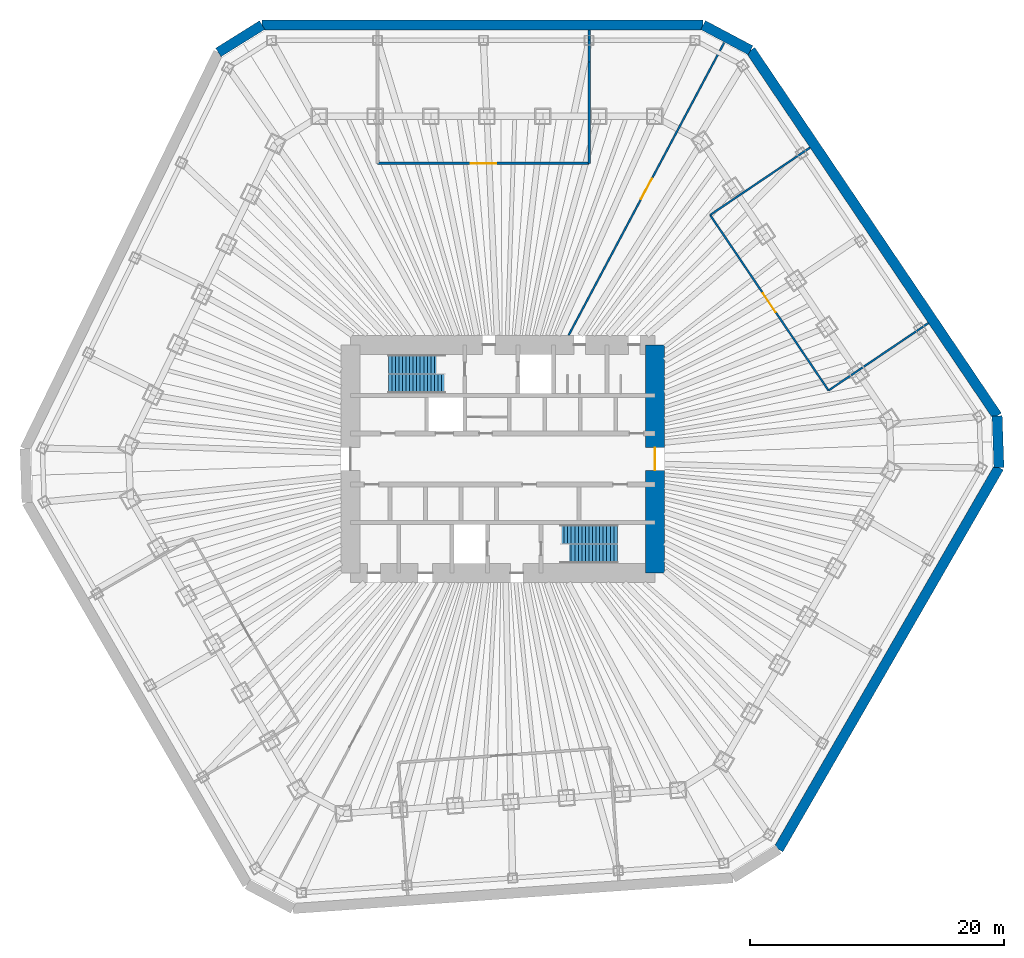
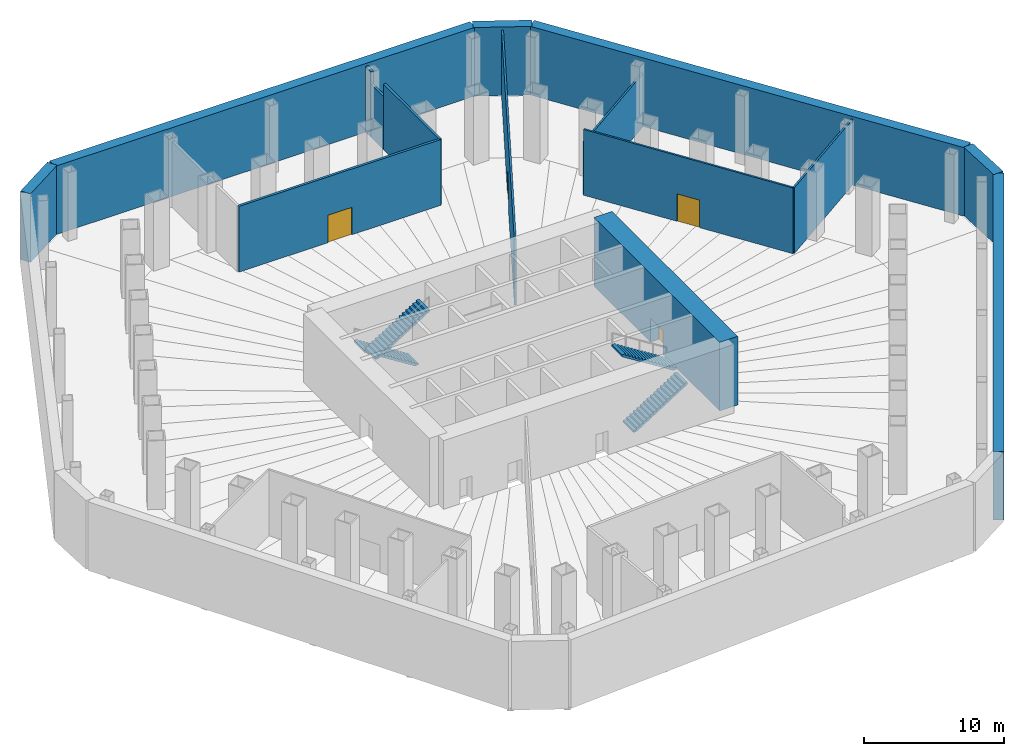
# One storey, part 7 of 8: 15 walls, 4 doors, 4 stair flights, 4 openings, 2 elements without a shape of their own.
"""IFC4 building model written with IfcOpenShell, lengths in metres."""

from ifc_helpers import new_model, si_unit, direction, frame, frame_2d, origin, place, context, subcontext, project, spatial, polyline, rectangle, outline, extrude, material, layer, layer_set, type_object, element, fill, aggregate, save


model = new_model("IFC4")

# Units and contexts
model_context = context("Model", 3, precision=1e-05, world=origin(), true_north=direction((0.0, 1.0)))
body_context = subcontext(model_context, "Body", "Model", "MODEL_VIEW")
ifc_project = project(units=[si_unit("LENGTHUNIT", "METRE"), si_unit("AREAUNIT", "SQUARE_METRE"), si_unit("VOLUMEUNIT", "CUBIC_METRE"), si_unit("PLANEANGLEUNIT", "RADIAN"), si_unit("MASSUNIT", "GRAM", prefix="KILO")], contexts=[model_context])

# Site, building, storey
site_placement = place(None, origin())
site = spatial("IfcSite", under=ifc_project, at=site_placement, CompositionType="ELEMENT")
building_placement = place(site_placement, origin())
building = spatial("IfcBuilding", under=site, at=building_placement, Name="Qingtian Harvest Tower", CompositionType="ELEMENT")
storey_placement = place(building_placement, frame((0.0, 0.0, -6.0)))
storey = spatial("IfcBuildingStorey", under=building, at=storey_placement, Name="B1", CompositionType="ELEMENT", Elevation=-6.0)

# Walls
ifc_material_1 = material(Name="Concrete fc' 42 MPa", Category="concrete")
ifc_layer_1 = layer(ifc_material_1, 0.800048828125)
ifc_layer_set_1 = layer_set([ifc_layer_1], Name="Basement retaining wall RW1 800")
wall_type_1 = type_object("IfcWallType", Name="Basement retaining wall RW1 800", PredefinedType="SHEAR", material=ifc_layer_set_1)
wall_1_placement = place(storey_placement, frame((-18.970458984375, 34.199951171875, 0.0), z_axis=(0.0, 0.0, 1.0), x_axis=(1.0, 0.0, 0.0)))
element("IfcWall", 1, at=wall_1_placement, inside=storey, type_object=wall_type_1, Name="Retaining wall RW1 B1 1", PredefinedType="SHEAR", context=body_context, shape_type="SweptSolid", body=[
    extrude(rectangle(XDim=34.7548828125, YDim=0.800048828125, at=frame_2d((17.37744140625, 0.0))), origin(), (0.0, 0.0, 1.0), 6.0),
])
wall_2_placement = place(storey_placement, frame((15.784423828125, 34.199951171875, 0.0), z_axis=(0.0, 0.0, 1.0), x_axis=(0.882948599748, -0.469469669099, 0.0)))
element("IfcWall", 2, at=wall_2_placement, inside=storey, type_object=wall_type_1, Name="Retaining wall RW1 B1 2", PredefinedType="SHEAR", context=body_context, shape_type="SweptSolid", body=[
    extrude(rectangle(XDim=4.23828125, YDim=0.800048828125, at=frame_2d((2.119140625, 0.0))), origin(), (0.0, 0.0, 1.0), 6.0),
])
wall_3_placement = place(storey_placement, frame((19.526611328125, 32.210205078125, 0.0), z_axis=(0.0, 0.0, 1.0), x_axis=(0.559192197891, -0.829038048474, 0.0)))
element("IfcWall", 3, at=wall_3_placement, inside=storey, type_object=wall_type_1, Name="Retaining wall RW1 B1 3", PredefinedType="SHEAR", context=body_context, shape_type="SweptSolid", body=[
    extrude(rectangle(XDim=34.754638671875, YDim=0.800048828125, at=frame_2d((17.37744140625, 0.0))), origin(), (0.0, 0.0, 1.0), 6.0),
])
wall_4_placement = place(storey_placement, frame((38.961181640625, 3.397216796875, 0.0), z_axis=(0.0, 0.0, 1.0), x_axis=(0.034904306503, -0.999390659046, 0.0)))
element("IfcWall", 4, at=wall_4_placement, inside=storey, type_object=wall_type_1, Name="Retaining wall RW1 B1 4", PredefinedType="SHEAR", context=body_context, shape_type="SweptSolid", body=[
    extrude(rectangle(XDim=4.07080078125, YDim=0.800048828125, at=frame_2d((2.035400390625, 0.0))), origin(), (0.0, 0.0, 1.0), 6.0),
])
wall_5_placement = place(storey_placement, frame((39.103271484375, -0.671142578125, 0.0), z_axis=(0.0, 0.0, 1.0), x_axis=(-0.499999733485, -0.866025557657, 0.0)))
element("IfcWall", 5, at=wall_5_placement, inside=storey, type_object=wall_type_1, Name="Retaining wall RW1 B1 5", PredefinedType="SHEAR", context=body_context, shape_type="SweptSolid", body=[
    extrude(rectangle(XDim=34.7548828125, YDim=0.800048828125, at=frame_2d((17.37744140625, 0.0))), origin(), (0.0, 0.0, 1.0), 6.0),
])
wall_6_placement = place(storey_placement, frame((-22.422607421875, 32.04296875, 0.0), z_axis=(0.0, 0.0, 1.0), x_axis=(0.848065686315, 0.529891113055, 0.0)))
element("IfcWall", 6, at=wall_6_placement, inside=storey, type_object=wall_type_1, Name="Retaining wall RW1 B1 12", PredefinedType="SHEAR", context=body_context, shape_type="SweptSolid", body=[
    extrude(rectangle(XDim=4.070556640625, YDim=0.800048828125, at=frame_2d((2.03515625, 0.0))), origin(), (0.0, 0.0, 1.0), 6.0),
])

# Wall, opening, door
ifc_material_2 = material(Name="Concrete fc' 70 MPa", Category="concrete")
ifc_layer_2 = layer(ifc_material_2, 1.5)
ifc_layer_set_2 = layer_set([ifc_layer_2], Name="Core wall RC1 1500")
wall_type_2 = type_object("IfcWallType", Name="Core wall RC1 1500", PredefinedType="SHEAR", material=ifc_layer_set_2)
wall_7_placement = place(storey_placement, frame((12.0, -9.0, 0.0), z_axis=(0.0, 0.0, 1.0), x_axis=(0.0, 1.0, 0.0)))
wall_7 = element("IfcWall", 7, at=wall_7_placement, inside=storey, type_object=wall_type_2, Name="Core wall CE B1", PredefinedType="SHEAR", context=body_context, shape_type="SweptSolid", body=[
    extrude(rectangle(XDim=18.0, YDim=1.5, at=frame_2d((9.0, 0.0))), origin(), (0.0, 0.0, 1.0), 6.0),
])
opening_1_placement = place(wall_7_placement, frame((8.10009765625, 0.0, 0.0)))
opening_1 = element("IfcOpeningElement", 8, at=opening_1_placement, cuts=wall_7, Name="Opening FD2", PredefinedType="OPENING", context=body_context, shape_type="SweptSolid", body=[
    extrude(rectangle(XDim=1.800048828125, YDim=2.10009765625, at=frame_2d((0.89990234375, 1.050048828125))), frame((0.0, 0.760009765625, 0.0), z_axis=(0.0, -1.0, 0.0), x_axis=(1.0, 0.0, 0.0)), (0.0, 0.0, 1.0), 1.52001953125),
])
ifc_material_3 = material(Name="Steel-faced door leaf", Category="steel")
door_type_1 = type_object("IfcDoorType", Name="Fire door FD2 double 1 HR", OperationType="DOUBLE_DOOR_DOUBLE_SWING", PredefinedType="DOOR", material=ifc_material_3)
door_1_placement = place(opening_1_placement, origin())
door_1 = element("IfcDoor", 9, at=door_1_placement, inside=storey, type_object=door_type_1, Name="LOBBY-E door B1", OperationType="DOUBLE_DOOR_DOUBLE_SWING", OverallHeight=2.10009765625, OverallWidth=1.800048828125, PredefinedType="DOOR", context=body_context, shape_type="SweptSolid", body=[
    extrude(rectangle(XDim=1.800048828125, YDim=2.10009765625, at=frame_2d((0.89990234375, 1.050048828125))), frame((0.0, 0.02490234375, 0.0), z_axis=(0.0, -1.0, 0.0), x_axis=(1.0, 0.0, 0.0)), (0.0, 0.0, 1.0), 0.050048828125),
])
fill(opening_1, door_1)

# Wall
ifc_material_4 = material(Name="Blockwork fire wall", Category="masonry")
ifc_layer_3 = layer(ifc_material_4, 0.199951171875)
ifc_layer_set_3 = layer_set([ifc_layer_3], Name="Fire partition FW1 200")
wall_type_3 = type_object("IfcWallType", Name="Fire partition FW1 200", PredefinedType="PARTITIONING", material=ifc_layer_set_3)
wall_8_placement = place(storey_placement, frame((6.8046875, 33.800048828125, 0.0), z_axis=(0.0, 0.0, 1.0), x_axis=(0.0, -1.0, 0.0)))
element("IfcWall", 10, at=wall_8_placement, inside=storey, type_object=wall_type_3, Name="Cold store wall B1", PredefinedType="PARTITIONING", context=body_context, shape_type="SweptSolid", body=[
    extrude(rectangle(XDim=0.779541015625, YDim=0.199951171875, at=frame_2d((0.3896484375, 0.0))), origin(), (0.0, 0.0, 1.0), 5.75),
])

# Wall, opening, door
wall_9_placement = place(storey_placement, frame((-9.87890625, 23.300048828125, 0.0), z_axis=(0.0, 0.0, 1.0), x_axis=(1.0, 0.0, 0.0)))
wall_9 = element("IfcWall", 11, at=wall_9_placement, inside=storey, type_object=wall_type_3, Name="Cold store wall B1", PredefinedType="PARTITIONING", context=body_context, shape_type="SweptSolid", body=[
    extrude(rectangle(XDim=16.68359375, YDim=0.199951171875, at=frame_2d((8.341796875, 0.0))), origin(), (0.0, 0.0, 1.0), 5.75),
])
opening_2_placement = place(wall_9_placement, frame((7.341796875, 0.0, 0.0)))
opening_2 = element("IfcOpeningElement", 12, at=opening_2_placement, cuts=wall_9, Name="Opening FD3", PredefinedType="OPENING", context=body_context, shape_type="SweptSolid", body=[
    extrude(rectangle(XDim=2.0, YDim=2.39990234375, at=frame_2d((1.0, 1.199951171875))), frame((0.0, 0.10986328125, 0.0), z_axis=(0.0, -1.0, 0.0), x_axis=(1.0, 0.0, 0.0)), (0.0, 0.0, 1.0), 0.219970703125),
])
ifc_material_5 = material(Name="Steel-faced door leaf", Category="steel")
door_type_2 = type_object("IfcDoorType", Name="Fire door FD3 double 2 HR", OperationType="DOUBLE_DOOR_DOUBLE_SWING", PredefinedType="DOOR", material=ifc_material_5)
door_2_placement = place(opening_2_placement, origin())
door_2 = element("IfcDoor", 13, at=door_2_placement, inside=storey, type_object=door_type_2, Name="Cold store door B1", OperationType="DOUBLE_DOOR_DOUBLE_SWING", OverallHeight=2.39990234375, OverallWidth=2.0, PredefinedType="DOOR", context=body_context, shape_type="SweptSolid", body=[
    extrude(rectangle(XDim=2.0, YDim=2.39990234375, at=frame_2d((1.0, 1.199951171875))), frame((0.0, 0.02490234375, 0.0), z_axis=(0.0, -1.0, 0.0), x_axis=(1.0, 0.0, 0.0)), (0.0, 0.0, 1.0), 0.050048828125),
])
fill(opening_2, door_2)

# Walls
wall_10_placement = place(storey_placement, frame((6.8046875, 33.0205078125, 0.0), z_axis=(0.0, 0.0, 1.0), x_axis=(0.0, -1.0, 0.0)))
element("IfcWall", 14, at=wall_10_placement, inside=storey, type_object=wall_type_3, Name="Cold store wall B1", PredefinedType="PARTITIONING", context=body_context, shape_type="SweptSolid", body=[
    extrude(rectangle(XDim=1.743408203125, YDim=0.199951171875, at=frame_2d((0.87158203125, 0.0))), origin(), (0.0, 0.0, 1.0), 4.64990234375),
])
wall_11_placement = place(storey_placement, frame((6.8046875, 31.277099609375, 0.0), z_axis=(0.0, 0.0, 1.0), x_axis=(0.0, -1.0, 0.0)))
element("IfcWall", 15, at=wall_11_placement, inside=storey, type_object=wall_type_3, Name="Cold store wall B1", PredefinedType="PARTITIONING", context=body_context, shape_type="SweptSolid", body=[
    extrude(rectangle(XDim=7.97705078125, YDim=0.199951171875, at=frame_2d((3.988525390625, 0.0))), origin(), (0.0, 0.0, 1.0), 5.75),
])
ifc_material_6 = material(Name="Gypsum board on steel studs", Category="steel")
ifc_layer_4 = layer(ifc_material_6, 0.14990234375)
ifc_layer_set_4 = layer_set([ifc_layer_4], Name="Partition PT1 150")
wall_type_4 = type_object("IfcWallType", Name="Partition PT1 150", PredefinedType="PARTITIONING", material=ifc_layer_set_4)
wall_12_placement = place(storey_placement, frame((24.21630859375, 24.5419921875, 0.0), z_axis=(0.0, 0.0, 1.0), x_axis=(-0.829037218051, -0.559193429045, 0.0)))
element("IfcWall", 16, at=wall_12_placement, inside=storey, type_object=wall_type_4, Name="Bicycle store wall B1", PredefinedType="PARTITIONING", context=body_context, shape_type="SweptSolid", body=[
    extrude(rectangle(XDim=9.499755859375, YDim=0.14990234375, at=frame_2d((4.75, 0.0))), origin(), (0.0, 0.0, 1.0), 4.64990234375),
])
wall_13_placement = place(storey_placement, frame((33.545654296875, 10.710693359375, 0.0), z_axis=(0.0, 0.0, 1.0), x_axis=(-0.829037218051, -0.559193429045, 0.0)))
element("IfcWall", 17, at=wall_13_placement, inside=storey, type_object=wall_type_4, Name="Bicycle store wall B1", PredefinedType="PARTITIONING", context=body_context, shape_type="SweptSolid", body=[
    extrude(rectangle(XDim=9.499755859375, YDim=0.14990234375, at=frame_2d((4.75, 0.0))), origin(), (0.0, 0.0, 1.0), 5.75),
])

# Wall, opening, door
wall_14_placement = place(storey_placement, frame((16.340576171875, 19.229736328125, 0.0), z_axis=(0.0, 0.0, 1.0), x_axis=(0.559193597406, -0.829037104489, 0.0)))
wall_14 = element("IfcWall", 18, at=wall_14_placement, inside=storey, type_object=wall_type_4, Name="Bicycle store wall B1", PredefinedType="PARTITIONING", context=body_context, shape_type="SweptSolid", body=[
    extrude(rectangle(XDim=16.68359375, YDim=0.14990234375, at=frame_2d((8.341796875, 0.0))), origin(), (0.0, 0.0, 1.0), 5.75),
])
opening_3_placement = place(wall_14_placement, frame((7.44189453125, 0.0, 0.0)))
opening_3 = element("IfcOpeningElement", 19, at=opening_3_placement, cuts=wall_14, Name="Opening D3", PredefinedType="OPENING", context=body_context, shape_type="SweptSolid", body=[
    extrude(rectangle(XDim=1.800048828125, YDim=2.39990234375, at=frame_2d((0.89990234375, 1.199951171875))), frame((0.0, 0.0849609375, 0.0), z_axis=(0.0, -1.0, 0.0), x_axis=(1.0, 0.0, 0.0)), (0.0, 0.0, 1.0), 0.169921875),
])
ifc_material_7 = material(Name="Laminated timber door leaf", Category="wood")
door_type_3 = type_object("IfcDoorType", Name="Room door D3 double", OperationType="DOUBLE_DOOR_DOUBLE_SWING", PredefinedType="DOOR", material=ifc_material_7)
door_3_placement = place(opening_3_placement, origin())
door_3 = element("IfcDoor", 20, at=door_3_placement, inside=storey, type_object=door_type_3, Name="Bicycle store door B1", OperationType="DOUBLE_DOOR_DOUBLE_SWING", OverallHeight=2.39990234375, OverallWidth=1.800048828125, PredefinedType="DOOR", context=body_context, shape_type="SweptSolid", body=[
    extrude(rectangle(XDim=1.800048828125, YDim=2.39990234375, at=frame_2d((0.89990234375, 1.199951171875))), frame((0.0, 0.02490234375, 0.0), z_axis=(0.0, -1.0, 0.0), x_axis=(1.0, 0.0, 0.0)), (0.0, 0.0, 1.0), 0.050048828125),
])
fill(opening_3, door_3)

wall_15_placement = place(storey_placement, frame((5.18408203125, 9.75, 0.0), z_axis=(0.0, 0.0, 1.0), x_axis=(0.469471208528, 0.882947781221, 0.0)))
wall_15 = element("IfcWall", 21, at=wall_15_placement, inside=storey, type_object=wall_type_4, Name="Hall dividing wall B1", PredefinedType="PARTITIONING", context=body_context, shape_type="SweptSolid", body=[
    extrude(rectangle(XDim=26.13427734375, YDim=0.14990234375, at=frame_2d((13.067138671875, 0.0))), origin(), (0.0, 0.0, 1.0), 5.75),
])
opening_4_placement = place(wall_15_placement, frame((12.167236328125, 0.0, 0.0)))
opening_4 = element("IfcOpeningElement", 22, at=opening_4_placement, cuts=wall_15, Name="Opening D3", PredefinedType="OPENING", context=body_context, shape_type="SweptSolid", body=[
    extrude(rectangle(XDim=1.800048828125, YDim=2.39990234375, at=frame_2d((0.89990234375, 1.199951171875))), frame((0.0, 0.0849609375, 0.0), z_axis=(0.0, -1.0, 0.0), x_axis=(1.0, 0.0, 0.0)), (0.0, 0.0, 1.0), 0.169921875),
])
door_4_placement = place(opening_4_placement, origin())
door_4 = element("IfcDoor", 23, at=door_4_placement, inside=storey, type_object=door_type_3, Name="Hall door B1", OperationType="DOUBLE_DOOR_DOUBLE_SWING", OverallHeight=2.39990234375, OverallWidth=1.800048828125, PredefinedType="DOOR", context=body_context, shape_type="SweptSolid", body=[
    extrude(rectangle(XDim=1.800048828125, YDim=2.39990234375, at=frame_2d((0.89990234375, 1.199951171875))), frame((0.0, 0.02490234375, 0.0), z_axis=(0.0, -1.0, 0.0), x_axis=(1.0, 0.0, 0.0)), (0.0, 0.0, 1.0), 0.050048828125),
])
fill(opening_4, door_4)

# Stair, stair flights
ifc_material_8 = material(Name="Concrete fc' 35 MPa", Category="concrete")
stair_type = type_object("IfcStairType", Name="Special stair ST1 6000", PredefinedType="HALF_TURN_STAIR", material=ifc_material_8)
stair_1_placement = place(storey_placement, origin())
stair_1 = element("IfcStair", 24, at=stair_1_placement, inside=storey, type_object=stair_type, Name="Special stair S1 B1", PredefinedType="HALF_TURN_STAIR")
ifc_material_9 = material(Name="Concrete fc' 35 MPa", Category="concrete")
stair_flight_type = type_object("IfcStairFlightType", Name="Stair flight SF1 6000", PredefinedType="STRAIGHT", material=ifc_material_9)
stair_flight_1_placement = place(storey_placement, frame((-4.550048828125, 7.5, 0.0), z_axis=(0.0, 0.0, 1.0), x_axis=(-1.0, 0.0, 0.0)))
stair_flight_1 = element("IfcStairFlight", 25, at=stair_flight_1_placement, type_object=stair_flight_type, Name="S1 flight 1", NumberOfRisers=17, NumberOfTreads=16, PredefinedType="STRAIGHT", RiserHeight=0.176470588, TreadLength=0.28, context=body_context, shape_type="SweptSolid", body=[
    extrude(outline(polyline([(0.0, 0.0), (0.0, 0.176513671875), (0.280029296875, 0.176513671875), (0.280029296875, 0.35302734375), (0.56005859375, 0.35302734375), (0.56005859375, 0.529296875), (0.840087890625, 0.529296875), (0.840087890625, 0.705810546875), (1.1201171875, 0.705810546875), (1.1201171875, 0.88232421875), (1.39990234375, 0.88232421875), (1.39990234375, 1.058837890625), (1.679931640625, 1.058837890625), (1.679931640625, 1.2353515625), (1.9599609375, 1.2353515625), (1.9599609375, 1.411865234375), (2.239990234375, 1.411865234375), (2.239990234375, 1.588134765625), (2.52001953125, 1.588134765625), (2.52001953125, 1.7646484375), (2.800048828125, 1.7646484375), (2.800048828125, 1.941162109375), (3.080078125, 1.941162109375), (3.080078125, 2.11767578125), (3.360107421875, 2.11767578125), (3.360107421875, 2.294189453125), (3.639892578125, 2.294189453125), (3.639892578125, 2.470703125), (3.919921875, 2.470703125), (3.919921875, 2.64697265625), (4.199951171875, 2.64697265625), (4.199951171875, 2.823486328125), (4.47998046875, 2.823486328125), (4.47998046875, 3.0), (4.47998046875, 2.646240234375), (0.28125, 0.0), (0.0, 0.0)])), frame((0.0, 0.75, 0.0), z_axis=(0.0, -1.0, 0.0), x_axis=(1.0, 0.0, 0.0)), (0.0, 0.0, 1.0), 1.5),
])
stair_flight_2_placement = place(storey_placement, frame((-9.030029296875, 5.89990234375, 3.0), z_axis=(0.0, 0.0, 1.0), x_axis=(1.0, 0.0, 0.0)))
stair_flight_2 = element("IfcStairFlight", 26, at=stair_flight_2_placement, type_object=stair_flight_type, Name="S1 flight 2", NumberOfRisers=17, NumberOfTreads=16, PredefinedType="STRAIGHT", RiserHeight=0.176470588, TreadLength=0.28, context=body_context, shape_type="SweptSolid", body=[
    extrude(outline(polyline([(0.0, 0.0), (0.0, 0.176513671875), (0.280029296875, 0.176513671875), (0.280029296875, 0.35302734375), (0.56005859375, 0.35302734375), (0.56005859375, 0.529296875), (0.840087890625, 0.529296875), (0.840087890625, 0.705810546875), (1.1201171875, 0.705810546875), (1.1201171875, 0.88232421875), (1.39990234375, 0.88232421875), (1.39990234375, 1.058837890625), (1.679931640625, 1.058837890625), (1.679931640625, 1.2353515625), (1.9599609375, 1.2353515625), (1.9599609375, 1.411865234375), (2.239990234375, 1.411865234375), (2.239990234375, 1.588134765625), (2.52001953125, 1.588134765625), (2.52001953125, 1.7646484375), (2.800048828125, 1.7646484375), (2.800048828125, 1.941162109375), (3.080078125, 1.941162109375), (3.080078125, 2.11767578125), (3.360107421875, 2.11767578125), (3.360107421875, 2.294189453125), (3.639892578125, 2.294189453125), (3.639892578125, 2.470703125), (3.919921875, 2.470703125), (3.919921875, 2.64697265625), (4.199951171875, 2.64697265625), (4.199951171875, 2.823486328125), (4.47998046875, 2.823486328125), (4.47998046875, 3.0), (4.47998046875, 2.646240234375), (0.28125, 0.0), (0.0, 0.0)])), frame((0.0, 0.75, 0.0), z_axis=(0.0, -1.0, 0.0), x_axis=(1.0, 0.0, 0.0)), (0.0, 0.0, 1.0), 1.5),
])
aggregate(stair_1, [stair_flight_1, stair_flight_2])

stair_2_placement = place(storey_placement, origin())
stair_2 = element("IfcStair", 27, at=stair_2_placement, inside=storey, type_object=stair_type, Name="Special stair S2 B1", PredefinedType="HALF_TURN_STAIR")
stair_flight_3_placement = place(storey_placement, frame((4.550048828125, -7.5, 0.0), z_axis=(0.0, 0.0, 1.0), x_axis=(1.0, 0.0, 0.0)))
stair_flight_3 = element("IfcStairFlight", 28, at=stair_flight_3_placement, type_object=stair_flight_type, Name="S2 flight 1", NumberOfRisers=17, NumberOfTreads=16, PredefinedType="STRAIGHT", RiserHeight=0.176470588, TreadLength=0.28, context=body_context, shape_type="SweptSolid", body=[
    extrude(outline(polyline([(0.0, 0.0), (0.0, 0.176513671875), (0.280029296875, 0.176513671875), (0.280029296875, 0.35302734375), (0.56005859375, 0.35302734375), (0.56005859375, 0.529296875), (0.840087890625, 0.529296875), (0.840087890625, 0.705810546875), (1.1201171875, 0.705810546875), (1.1201171875, 0.88232421875), (1.39990234375, 0.88232421875), (1.39990234375, 1.058837890625), (1.679931640625, 1.058837890625), (1.679931640625, 1.2353515625), (1.9599609375, 1.2353515625), (1.9599609375, 1.411865234375), (2.239990234375, 1.411865234375), (2.239990234375, 1.588134765625), (2.52001953125, 1.588134765625), (2.52001953125, 1.7646484375), (2.800048828125, 1.7646484375), (2.800048828125, 1.941162109375), (3.080078125, 1.941162109375), (3.080078125, 2.11767578125), (3.360107421875, 2.11767578125), (3.360107421875, 2.294189453125), (3.639892578125, 2.294189453125), (3.639892578125, 2.470703125), (3.919921875, 2.470703125), (3.919921875, 2.64697265625), (4.199951171875, 2.64697265625), (4.199951171875, 2.823486328125), (4.47998046875, 2.823486328125), (4.47998046875, 3.0), (4.47998046875, 2.646240234375), (0.28125, 0.0), (0.0, 0.0)])), frame((0.0, 0.75, 0.0), z_axis=(0.0, -1.0, 0.0), x_axis=(1.0, 0.0, 0.0)), (0.0, 0.0, 1.0), 1.5),
])
stair_flight_4_placement = place(storey_placement, frame((9.030029296875, -5.89990234375, 3.0), z_axis=(0.0, 0.0, 1.0), x_axis=(-1.0, 0.0, 0.0)))
stair_flight_4 = element("IfcStairFlight", 29, at=stair_flight_4_placement, type_object=stair_flight_type, Name="S2 flight 2", NumberOfRisers=17, NumberOfTreads=16, PredefinedType="STRAIGHT", RiserHeight=0.176470588, TreadLength=0.28, context=body_context, shape_type="SweptSolid", body=[
    extrude(outline(polyline([(0.0, 0.0), (0.0, 0.176513671875), (0.280029296875, 0.176513671875), (0.280029296875, 0.35302734375), (0.56005859375, 0.35302734375), (0.56005859375, 0.529296875), (0.840087890625, 0.529296875), (0.840087890625, 0.705810546875), (1.1201171875, 0.705810546875), (1.1201171875, 0.88232421875), (1.39990234375, 0.88232421875), (1.39990234375, 1.058837890625), (1.679931640625, 1.058837890625), (1.679931640625, 1.2353515625), (1.9599609375, 1.2353515625), (1.9599609375, 1.411865234375), (2.239990234375, 1.411865234375), (2.239990234375, 1.588134765625), (2.52001953125, 1.588134765625), (2.52001953125, 1.7646484375), (2.800048828125, 1.7646484375), (2.800048828125, 1.941162109375), (3.080078125, 1.941162109375), (3.080078125, 2.11767578125), (3.360107421875, 2.11767578125), (3.360107421875, 2.294189453125), (3.639892578125, 2.294189453125), (3.639892578125, 2.470703125), (3.919921875, 2.470703125), (3.919921875, 2.64697265625), (4.199951171875, 2.64697265625), (4.199951171875, 2.823486328125), (4.47998046875, 2.823486328125), (4.47998046875, 3.0), (4.47998046875, 2.646240234375), (0.28125, 0.0), (0.0, 0.0)])), frame((0.0, 0.75, 0.0), z_axis=(0.0, -1.0, 0.0), x_axis=(1.0, 0.0, 0.0)), (0.0, 0.0, 1.0), 1.5),
])
aggregate(stair_2, [stair_flight_3, stair_flight_4])

save(model, "model.ifc")
